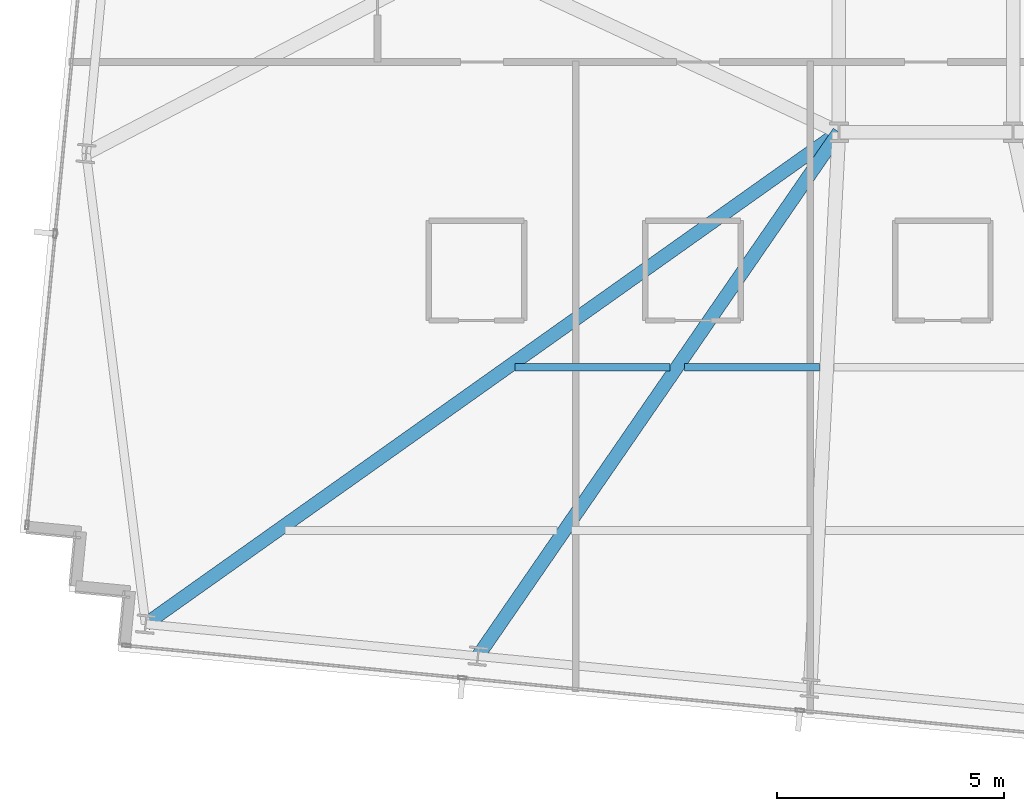
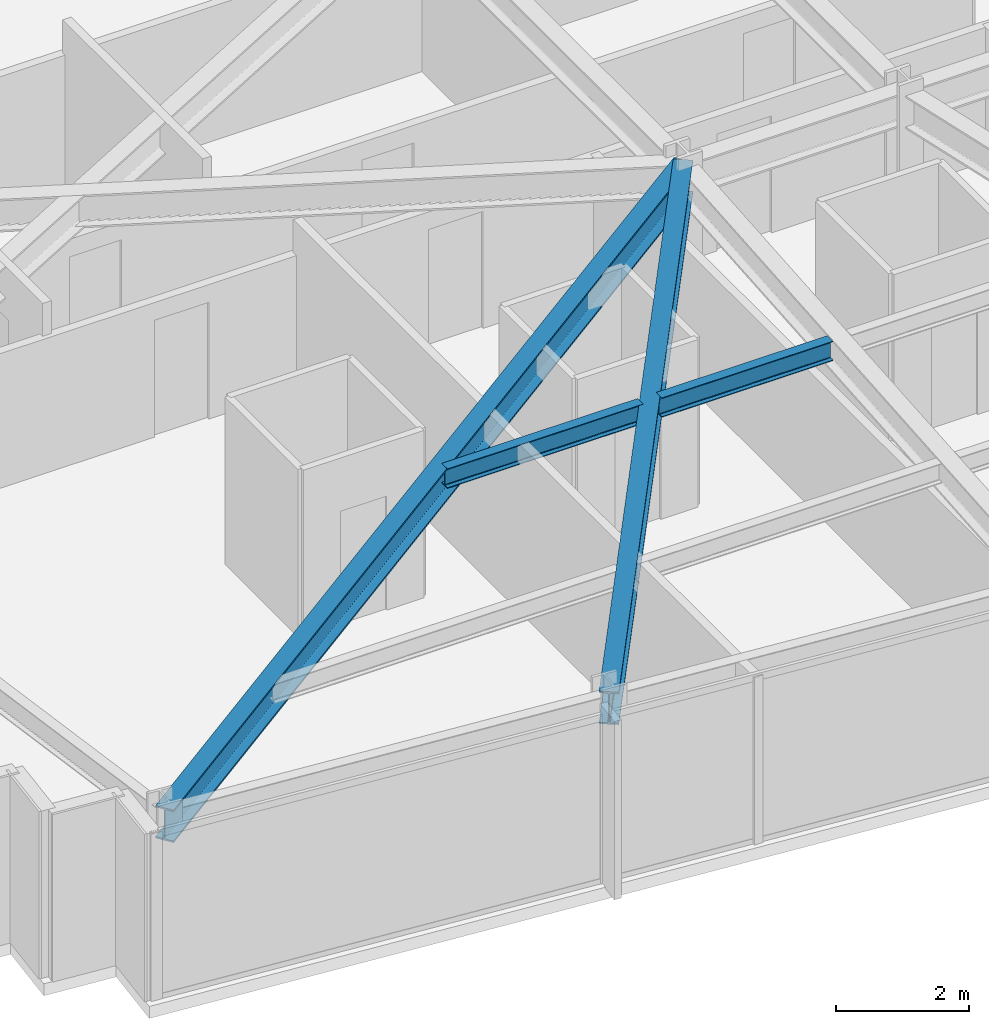
# One storey, part 5 of 38: 4 beams.
"""IFC4 building model written with IfcOpenShell, lengths in metres."""

from ifc_helpers import new_model, si_unit, direction, frame, origin, origin_2d, place, context, subcontext, project, spatial, i_section, extrude, material, material_profile, profile_set, type_object, element, save


model = new_model("IFC4")

# Units and contexts
model_context = context("Model", 3, precision=1e-05, world=origin(), true_north=direction((0.0, 1.0)))
body_context = subcontext(model_context, "Body", "Model", "MODEL_VIEW")
ifc_project = project(units=[si_unit("LENGTHUNIT", "METRE"), si_unit("AREAUNIT", "SQUARE_METRE"), si_unit("VOLUMEUNIT", "CUBIC_METRE"), si_unit("PLANEANGLEUNIT", "RADIAN"), si_unit("MASSUNIT", "GRAM", prefix="KILO")], contexts=[model_context])

# Site, building, storey
site_placement = place(None, origin())
site = spatial("IfcSite", under=ifc_project, at=site_placement, CompositionType="ELEMENT")
building_placement = place(site_placement, origin())
building = spatial("IfcBuilding", under=site, at=building_placement, Name="Yelkora Congress Tower", CompositionType="ELEMENT")
storey_placement = place(building_placement, frame((0.0, 0.0, 172.10009765625)))
storey = spatial("IfcBuildingStorey", under=building, at=storey_placement, Name="L47", CompositionType="ELEMENT", Elevation=172.10009765625)

# Beams
ifc_material = material(Name="Steel S355J2", Category="steel")
ifc_material_profile_1 = material_profile(ifc_material, i_section(OverallWidth=0.300048828125, OverallDepth=0.60009765625, WebThickness=0.015380859375, FlangeThickness=0.030029296875, FilletRadius=0.027099609375, at=origin_2d()), Name="HEB 600")
ifc_profile_set_1 = profile_set([ifc_material_profile_1], Name="Steel S355J2")
beam_type_1 = type_object("IfcBeamType", Name="BM-GIRD-HEB600", PredefinedType="BEAM", material=ifc_profile_set_1)
beam_1_placement = place(storey_placement, frame((3.919189453125, 14.357421875, 2.77978515625), z_axis=(0.815554555366, 0.578680194254, 0.0), x_axis=(-0.578680194254, 0.815554555366, 0.0)))
element("IfcBeam", 1, at=beam_1_placement, inside=storey, type_object=beam_type_1, Name="L47 Primary Frame Girder S01", PredefinedType="BEAM", context=body_context, shape_type="SweptSolid", body=[
    extrude(i_section(OverallWidth=0.300048828125, OverallDepth=0.60009765625, WebThickness=0.015380859375, FlangeThickness=0.030029296875, FilletRadius=0.027099609375, at=origin_2d()), origin(), (0.0, 0.0, 1.0), 18.736572265625),
])
beam_2_placement = place(storey_placement, frame((11.242431640625, 13.652099609375, 2.77978515625), z_axis=(0.567418043278, 0.823429878109, 0.0), x_axis=(-0.823429878109, 0.567418043278, 0.0)))
element("IfcBeam", 2, at=beam_2_placement, inside=storey, type_object=beam_type_1, Name="L47 Primary Frame Girder S02", PredefinedType="BEAM", context=body_context, shape_type="SweptSolid", body=[
    extrude(i_section(OverallWidth=0.300048828125, OverallDepth=0.60009765625, WebThickness=0.015380859375, FlangeThickness=0.030029296875, FilletRadius=0.027099609375, at=origin_2d()), origin(), (0.0, 0.0, 1.0), 14.024169921875),
])
ifc_material_profile_2 = material_profile(ifc_material, i_section(OverallWidth=0.169921875, OverallDepth=0.360107421875, WebThickness=0.008056640625, FlangeThickness=0.0126953125, FilletRadius=0.01806640625, at=origin_2d()), Name="IPE 360")
ifc_profile_set_2 = profile_set([ifc_material_profile_2], Name="Steel S355J2")
beam_type_2 = type_object("IfcBeamType", Name="BM-JOIST-IPE360", PredefinedType="JOIST", material=ifc_profile_set_2)
beam_3_placement = place(storey_placement, frame((12.061279296875, 20.021240234375, 2.89990234375), z_axis=(1.0, 0.0, 0.0), x_axis=(0.0, 1.0, 0.0)))
element("IfcBeam", 3, at=beam_3_placement, inside=storey, type_object=beam_type_2, Name="L47 Composite Floor Joist 12", PredefinedType="JOIST", context=body_context, shape_type="SweptSolid", body=[
    extrude(i_section(OverallWidth=0.169921875, OverallDepth=0.360107421875, WebThickness=0.008056640625, FlangeThickness=0.0126953125, FilletRadius=0.01806640625, at=origin_2d()), origin(), (0.0, 0.0, 1.0), 3.409912109375),
])
beam_4_placement = place(storey_placement, frame((15.791259765625, 20.021240234375, 2.89990234375), z_axis=(1.0, 0.0, 0.0), x_axis=(0.0, 1.0, 0.0)))
element("IfcBeam", 4, at=beam_4_placement, inside=storey, type_object=beam_type_2, Name="L47 Composite Floor Joist 13", PredefinedType="JOIST", context=body_context, shape_type="SweptSolid", body=[
    extrude(i_section(OverallWidth=0.169921875, OverallDepth=0.360107421875, WebThickness=0.008056640625, FlangeThickness=0.0126953125, FilletRadius=0.01806640625, at=origin_2d()), origin(), (0.0, 0.0, 1.0), 2.980712890625),
])

save(model, "model.ifc")
